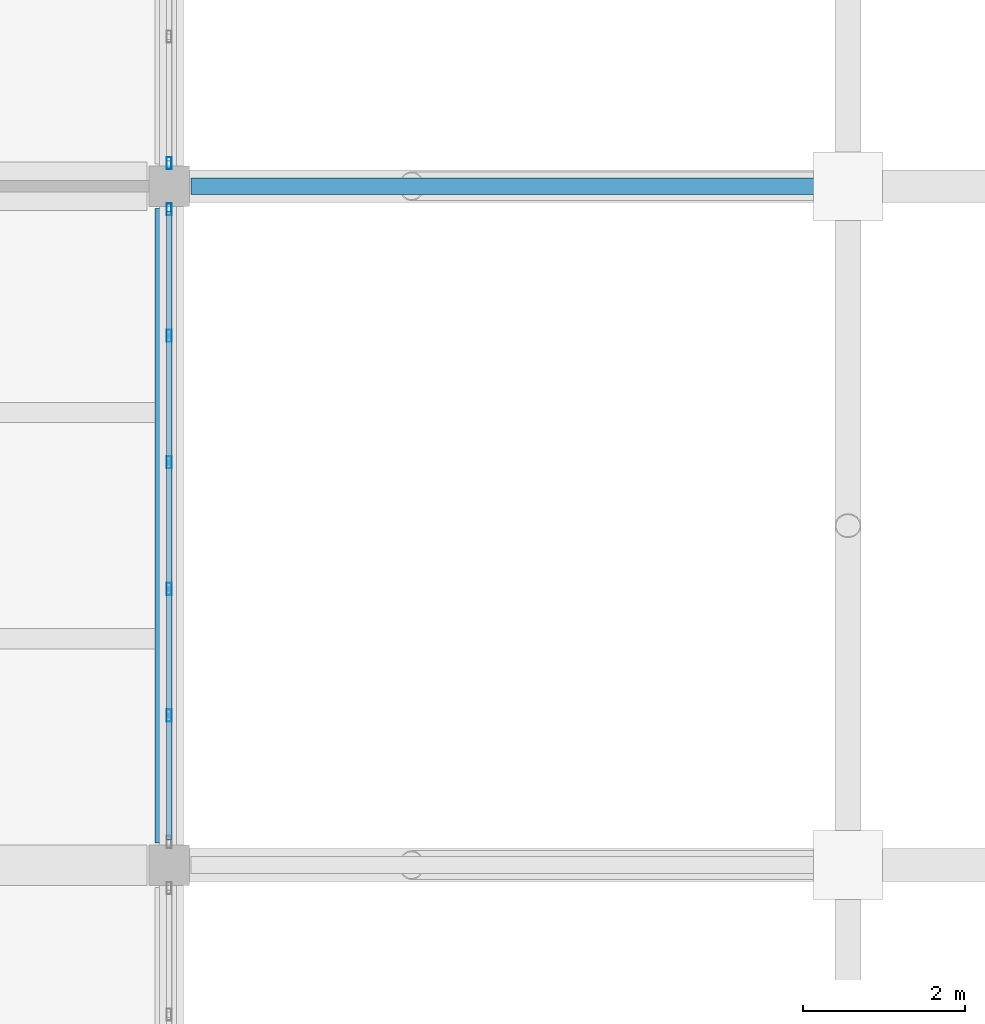
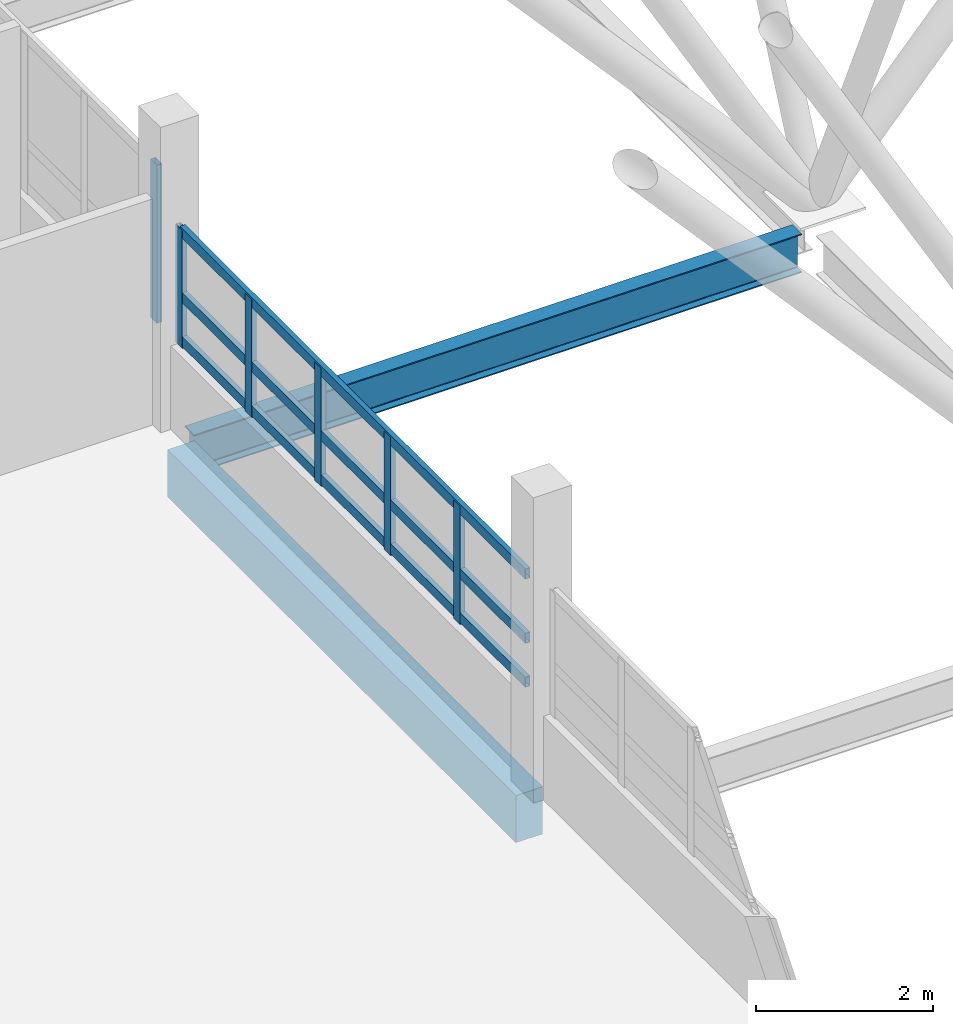
# One storey, part 19 of 107: 9 members, 2 beams, 2 elements without a shape of their own.
"""IFC4 building model written with IfcOpenShell, lengths in metres."""

from ifc_helpers import new_model, si_unit, direction, frame, origin, origin_2d, place, context, subcontext, project, spatial, rectangle, hollow_rectangle, i_section, extrude, material, layer, layer_set, material_profile, profile_set, type_object, element, aggregate, save


model = new_model("IFC4")

# Units and contexts
model_context = context("Model", 3, precision=1e-05, world=origin(), true_north=direction((0.0, 1.0)))
body_context = subcontext(model_context, "Body", "Model", "MODEL_VIEW")
ifc_project = project(units=[si_unit("LENGTHUNIT", "METRE"), si_unit("AREAUNIT", "SQUARE_METRE"), si_unit("VOLUMEUNIT", "CUBIC_METRE"), si_unit("PLANEANGLEUNIT", "RADIAN"), si_unit("MASSUNIT", "GRAM", prefix="KILO")], contexts=[model_context])

# Site, building, storey
site_placement = place(None, origin())
site = spatial("IfcSite", under=ifc_project, at=site_placement, CompositionType="ELEMENT")
building_placement = place(site_placement, origin())
building = spatial("IfcBuilding", under=site, at=building_placement, Name="Vireocrest Preparatory School", CompositionType="ELEMENT")
storey_placement = place(building_placement, frame((0.0, 0.0, 13.199951171875)))
storey = spatial("IfcBuildingStorey", under=building, at=storey_placement, Name="L03", CompositionType="ELEMENT", Elevation=13.199951171875)

# Curtain wall, members
ifc_material_1 = material(Name="Thermally broken aluminium EN AW-6063-T6", Category="aluminium")
ifc_layer = layer(ifc_material_1, 0.179931640625)
ifc_layer_set = layer_set([ifc_layer], Name="Thermally broken aluminium EN AW-6063-T6")
curtain_wall_type = type_object("IfcCurtainWallType", Name="Court Banded Curtain Wall 8400x3000", PredefinedType="USERDEFINED", material=ifc_layer_set)
curtain_wall_1_placement = place(storey_placement, origin())
curtain_wall_1 = element("IfcCurtainWall", 1, at=curtain_wall_1_placement, inside=storey, type_object=curtain_wall_type, Name="Curtain Wall CW02 CW_L03_CW02_0672_0524_144", ObjectType="CURTAIN WALL", PredefinedType="USERDEFINED")
ifc_material_profile_1 = material_profile(ifc_material_1, hollow_rectangle(XDim=0.06494140625, YDim=0.14990234375, WallThickness=0.00390625, at=origin_2d()), Name="ALU 65x150x4")
ifc_profile_set_1 = profile_set([ifc_material_profile_1], Name="Thermally broken aluminium EN AW-6063-T6")
member_type_1 = type_object("IfcMemberType", Name="CW Mullion 65x150x4", PredefinedType="MULLION", material=ifc_profile_set_1)
member_1_placement = place(storey_placement, frame((67.199951171875, 54.051025390625, 1.150146484375), z_axis=(0.0, 0.0, 1.0), x_axis=(1.0, 0.0, 0.0)))
member_1 = element("IfcMember", 2, at=member_1_placement, type_object=member_type_1, Name="CW Mullion ML1 CW_L03_CW02_0672_0524_144-2", PredefinedType="MULLION", context=body_context, shape_type="SweptSolid", body=[
    extrude(hollow_rectangle(XDim=0.06494140625, YDim=0.14990234375, WallThickness=0.00390625, at=origin_2d()), origin(), (0.0, 0.0, 1.0), 1.625),
])
member_2_placement = place(storey_placement, frame((67.199951171875, 55.616943359375, 1.150146484375), z_axis=(0.0, 0.0, 1.0), x_axis=(1.0, 0.0, 0.0)))
member_2 = element("IfcMember", 3, at=member_2_placement, type_object=member_type_1, Name="CW Mullion ML1 CW_L03_CW02_0672_0524_144-3", PredefinedType="MULLION", context=body_context, shape_type="SweptSolid", body=[
    extrude(hollow_rectangle(XDim=0.06494140625, YDim=0.14990234375, WallThickness=0.00390625, at=origin_2d()), origin(), (0.0, 0.0, 1.0), 1.625),
])
member_3_placement = place(storey_placement, frame((67.199951171875, 57.18310546875, 1.150146484375), z_axis=(0.0, 0.0, 1.0), x_axis=(1.0, 0.0, 0.0)))
member_3 = element("IfcMember", 4, at=member_3_placement, type_object=member_type_1, Name="CW Mullion ML1 CW_L03_CW02_0672_0524_144-4", PredefinedType="MULLION", context=body_context, shape_type="SweptSolid", body=[
    extrude(hollow_rectangle(XDim=0.06494140625, YDim=0.14990234375, WallThickness=0.00390625, at=origin_2d()), origin(), (0.0, 0.0, 1.0), 1.625),
])
member_4_placement = place(storey_placement, frame((67.199951171875, 58.7490234375, 1.150146484375), z_axis=(0.0, 0.0, 1.0), x_axis=(1.0, 0.0, 0.0)))
member_4 = element("IfcMember", 5, at=member_4_placement, type_object=member_type_1, Name="CW Mullion ML1 CW_L03_CW02_0672_0524_144-5", PredefinedType="MULLION", context=body_context, shape_type="SweptSolid", body=[
    extrude(hollow_rectangle(XDim=0.06494140625, YDim=0.14990234375, WallThickness=0.00390625, at=origin_2d()), origin(), (0.0, 0.0, 1.0), 1.625),
])
member_5_placement = place(storey_placement, frame((67.199951171875, 60.31494140625, 1.150146484375), z_axis=(0.0, 0.0, 1.0), x_axis=(1.0, 0.0, 0.0)))
member_5 = element("IfcMember", 6, at=member_5_placement, type_object=member_type_1, Name="CW Mullion ML1 CW_L03_CW02_0672_0524_144-6", PredefinedType="MULLION", context=body_context, shape_type="SweptSolid", body=[
    extrude(hollow_rectangle(XDim=0.06494140625, YDim=0.14990234375, WallThickness=0.00390625, at=origin_2d()), origin(), (0.0, 0.0, 1.0), 1.625),
])

# Curtain wall, member
curtain_wall_2_placement = place(storey_placement, origin())
curtain_wall_2 = element("IfcCurtainWall", 7, at=curtain_wall_2_placement, inside=storey, type_object=curtain_wall_type, Name="Curtain Wall CW02 CW_L03_CW02_0672_0608_144", ObjectType="CURTAIN WALL", PredefinedType="USERDEFINED")
member_6_placement = place(storey_placement, frame((67.199951171875, 60.885009765625, 1.150146484375), z_axis=(0.0, 0.0, 1.0), x_axis=(1.0, 0.0, 0.0)))
member_6 = element("IfcMember", 8, at=member_6_placement, type_object=member_type_1, Name="CW Mullion ML1 CW_L03_CW02_0672_0608_144-1", PredefinedType="MULLION", context=body_context, shape_type="SweptSolid", body=[
    extrude(hollow_rectangle(XDim=0.06494140625, YDim=0.14990234375, WallThickness=0.00390625, at=origin_2d()), origin(), (0.0, 0.0, 1.0), 2.1748046875),
])
aggregate(curtain_wall_2, [member_6])

# Member
ifc_material_profile_2 = material_profile(ifc_material_1, hollow_rectangle(XDim=0.06494140625, YDim=0.139892578125, WallThickness=0.00390625, at=origin_2d()), Name="ALU 65x140x4")
ifc_profile_set_2 = profile_set([ifc_material_profile_2], Name="Thermally broken aluminium EN AW-6063-T6")
member_type_2 = type_object("IfcMemberType", Name="CW Transom 65x140x4", PredefinedType="USERDEFINED", material=ifc_profile_set_2)
member_7_placement = place(storey_placement, frame((67.199951171875, 52.510009765625, 1.2451171875), z_axis=(0.0, 1.0, 0.0), x_axis=(-1.0, 0.0, 0.0)))
member_7 = element("IfcMember", 9, at=member_7_placement, type_object=member_type_2, Name="CW Transom TR1 CW_L03_CW02_0672_0524_144-1", ObjectType="TRANSOM", PredefinedType="USERDEFINED", context=body_context, shape_type="SweptSolid", body=[
    extrude(hollow_rectangle(XDim=0.06494140625, YDim=0.139892578125, WallThickness=0.00390625, at=origin_2d()), origin(), (0.0, 0.0, 1.0), 7.780029296875),
])

member_8_placement = place(storey_placement, frame((67.199951171875, 52.510009765625, 1.85009765625), z_axis=(0.0, 1.0, 0.0), x_axis=(-1.0, 0.0, 0.0)))
member_8 = element("IfcMember", 10, at=member_8_placement, type_object=member_type_2, Name="CW Transom TR1 CW_L03_CW02_0672_0524_144-2", ObjectType="TRANSOM", PredefinedType="USERDEFINED", context=body_context, shape_type="SweptSolid", body=[
    extrude(hollow_rectangle(XDim=0.06494140625, YDim=0.139892578125, WallThickness=0.00390625, at=origin_2d()), origin(), (0.0, 0.0, 1.0), 7.780029296875),
])

member_9_placement = place(storey_placement, frame((67.199951171875, 52.510009765625, 2.735107421875), z_axis=(0.0, 1.0, 0.0), x_axis=(-1.0, 0.0, 0.0)))
member_9 = element("IfcMember", 11, at=member_9_placement, type_object=member_type_2, Name="CW Transom TR1 CW_L03_CW02_0672_0524_144-3", ObjectType="TRANSOM", PredefinedType="USERDEFINED", context=body_context, shape_type="SweptSolid", body=[
    extrude(hollow_rectangle(XDim=0.06494140625, YDim=0.139892578125, WallThickness=0.00390625, at=origin_2d()), origin(), (0.0, 0.0, 1.0), 7.780029296875),
])

aggregate(curtain_wall_1, [member_1, member_2, member_3, member_4, member_5, member_7, member_8, member_9])

# Beams
ifc_material_2 = material(Name="Structural steel ASTM A992 Grade 50", Category="steel")
ifc_material_profile_3 = material_profile(ifc_material_2, i_section(OverallWidth=0.208984375, OverallDepth=0.532958984375, WebThickness=0.01025390625, FlangeThickness=0.015625, FilletRadius=0.014892578125, at=origin_2d()), Name="W21X62")
ifc_profile_set_3 = profile_set([ifc_material_profile_3], Name="Structural steel ASTM A992 Grade 50")
beam_type_1 = type_object("IfcBeamType", Name="Court Tie Girder W21X62", PredefinedType="BEAM", material=ifc_profile_set_3)
beam_1_placement = place(storey_placement, frame((67.469970703125, 60.60009765625, -0.56640625), z_axis=(1.0, 0.0, 0.0), x_axis=(0.0, 1.0, 0.0)))
element("IfcBeam", 12, at=beam_1_placement, inside=storey, type_object=beam_type_1, Name="Court Trunk Lateral Tie Girder SB5 W5 L03", PredefinedType="BEAM", context=body_context, shape_type="SweptSolid", body=[
    extrude(i_section(OverallWidth=0.208984375, OverallDepth=0.532958984375, WebThickness=0.01025390625, FlangeThickness=0.015625, FilletRadius=0.014892578125, at=origin_2d()), origin(), (0.0, 0.0, 1.0), 7.906494140625),
])
ifc_material_3 = material(Name="Concrete 40 MPa", Category="concrete")
ifc_material_profile_4 = material_profile(ifc_material_3, rectangle(XDim=0.35009765625, YDim=0.64990234375, at=origin_2d()), Name="RC 350x650")
ifc_profile_set_4 = profile_set([ifc_material_profile_4], Name="Concrete 40 MPa")
beam_type_2 = type_object("IfcBeamType", Name="RC Classroom Girder 350x650", PredefinedType="BEAM", material=ifc_profile_set_4)
beam_2_placement = place(storey_placement, frame((67.199951171875, 52.47509765625, -0.56494140625), z_axis=(0.0, 1.0, 0.0), x_axis=(-1.0, 0.0, 0.0)))
element("IfcBeam", 13, at=beam_2_placement, inside=storey, type_object=beam_type_2, Name="Primary Girder B05 L03-1132", PredefinedType="BEAM", context=body_context, shape_type="SweptSolid", body=[
    extrude(rectangle(XDim=0.35009765625, YDim=0.64990234375, at=origin_2d()), origin(), (0.0, 0.0, 1.0), 7.849853515625),
])

save(model, "model.ifc")
